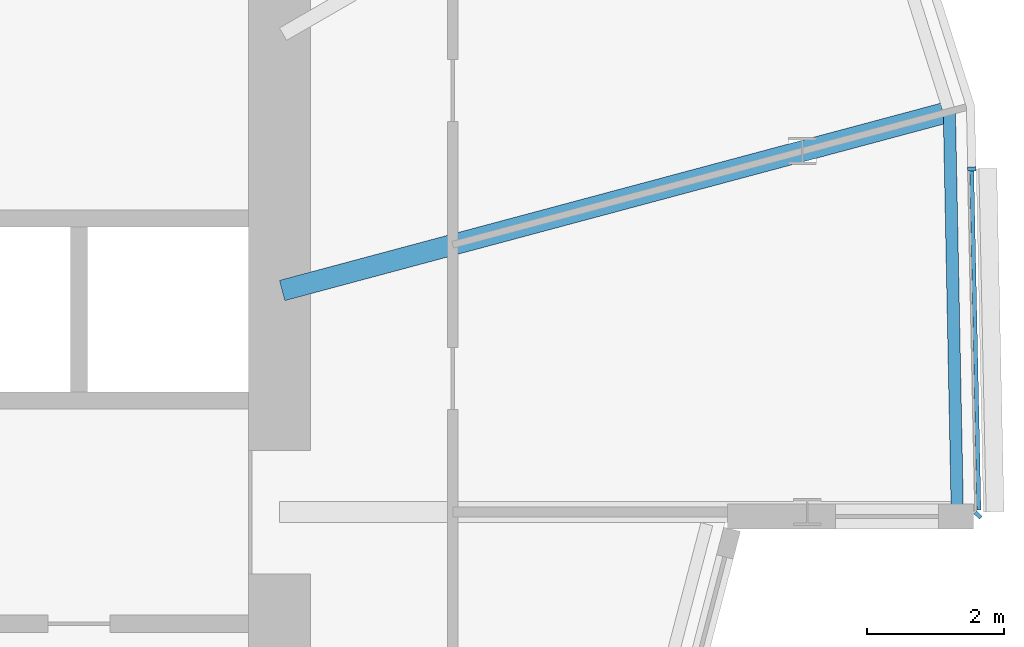
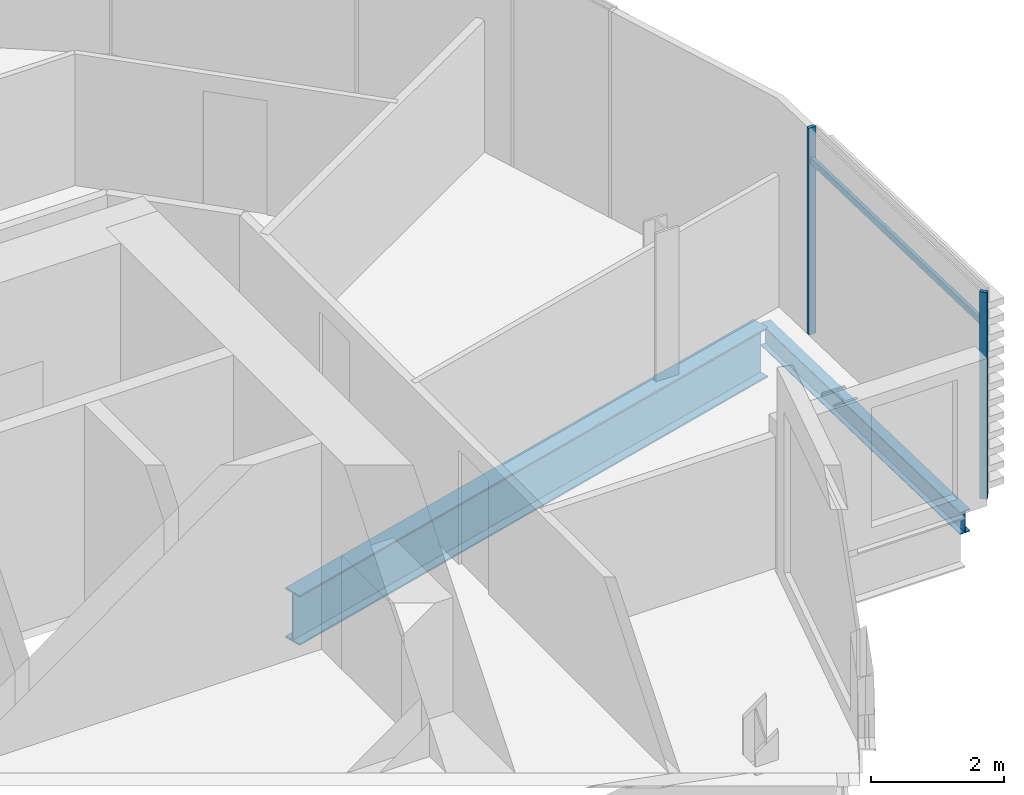
# One storey, part 15 of 38: 3 members, 2 beams, 1 element without a shape of its own.
"""IFC4 building model written with IfcOpenShell, lengths in metres."""

from ifc_helpers import new_model, si_unit, direction, frame, origin, origin_2d, place, context, subcontext, project, spatial, rectangle, i_section, extrude, material, material_profile, profile_set, type_object, element, aggregate, save


model = new_model("IFC4")

# Units and contexts
model_context = context("Model", 3, precision=1e-05, world=origin(), true_north=direction((0.0, 1.0)))
body_context = subcontext(model_context, "Body", "Model", "MODEL_VIEW")
ifc_project = project(units=[si_unit("LENGTHUNIT", "METRE"), si_unit("AREAUNIT", "SQUARE_METRE"), si_unit("VOLUMEUNIT", "CUBIC_METRE"), si_unit("PLANEANGLEUNIT", "RADIAN"), si_unit("MASSUNIT", "GRAM", prefix="KILO")], contexts=[model_context])

# Site, building, storey
site_placement = place(None, origin())
site = spatial("IfcSite", under=ifc_project, at=site_placement, CompositionType="ELEMENT")
building_placement = place(site_placement, origin())
building = spatial("IfcBuilding", under=site, at=building_placement, Name="Rimbun Link Towers", CompositionType="ELEMENT")
storey_placement = place(building_placement, frame((0.0, 0.0, 68.0)))
storey = spatial("IfcBuildingStorey", under=building, at=storey_placement, Name="L16", CompositionType="ELEMENT", Elevation=68.0)

# Curtain wall, members
ifc_material_1 = material(Name="Aluminium 6063-T6 and low-iron glass", Category="aluminium")
curtain_wall_type = type_object("IfcCurtainWallType", Name="CW1 unitised vision wall", PredefinedType="NOTDEFINED", material=ifc_material_1)
curtain_wall_placement = place(storey_placement, origin())
curtain_wall = element("IfcCurtainWall", 1, at=curtain_wall_placement, inside=storey, type_object=curtain_wall_type, Name="CW1 L16 T2", PredefinedType="NOTDEFINED")
ifc_material_2 = material(Name="Aluminium 6063-T6", Category="aluminium")
ifc_material_profile_1 = material_profile(ifc_material_2, rectangle(XDim=0.1201171875, YDim=0.06005859375, at=origin_2d()), Name="MULLION 60X120")
ifc_profile_set_1 = profile_set([ifc_material_profile_1], Name="Aluminium 6063-T6")
member_type_1 = type_object("IfcMemberType", Name="CW1 mullion 60X120", PredefinedType="MULLION", material=ifc_profile_set_1)
member_1_placement = place(storey_placement, frame((53.833740234375, 4.99755859375, 0.0), z_axis=(0.0, 0.0, 1.0), x_axis=(0.999778219026, 0.021059742681, 0.0)))
member_1 = element("IfcMember", 2, at=member_1_placement, type_object=member_type_1, Name="CW1 mullion", PredefinedType="MULLION", context=body_context, shape_type="SweptSolid", body=[
    extrude(rectangle(XDim=0.1201171875, YDim=0.06005859375, at=origin_2d()), origin(), (0.0, 0.0, 1.0), 3.800048828125),
])
member_2_placement = place(storey_placement, frame((53.921875, -0.0419921875, 0.0), z_axis=(0.0, 0.0, 1.0), x_axis=(0.714513730687, -0.699621418097, 0.0)))
member_2 = element("IfcMember", 3, at=member_2_placement, type_object=member_type_1, Name="CW1 mullion", PredefinedType="MULLION", context=body_context, shape_type="SweptSolid", body=[
    extrude(rectangle(XDim=0.1201171875, YDim=0.06005859375, at=origin_2d()), origin(), (0.0, 0.0, 1.0), 3.800048828125),
])
ifc_material_3 = material(Name="Aluminium 6063-T6", Category="aluminium")
ifc_material_profile_2 = material_profile(ifc_material_3, rectangle(XDim=0.06005859375, YDim=0.1201171875, at=origin_2d()), Name="TRANSOM 60X120")
ifc_profile_set_2 = profile_set([ifc_material_profile_2], Name="Aluminium 6063-T6")
member_type_2 = type_object("IfcMemberType", Name="CW1 transom 60X120", PredefinedType="USERDEFINED", material=ifc_profile_set_2)
member_3_placement = place(storey_placement, frame((53.832275390625, 4.967529296875, 3.199951171875), z_axis=(0.02106461633, -0.999778116353, 0.0), x_axis=(0.999778116353, 0.02106461633, 0.0)))
member_3 = element("IfcMember", 4, at=member_3_placement, type_object=member_type_2, Name="CW1 transom", ObjectType="TRANSOM", PredefinedType="USERDEFINED", context=body_context, shape_type="SweptSolid", body=[
    extrude(rectangle(XDim=0.06005859375, YDim=0.1201171875, at=origin_2d()), origin(), (0.0, 0.0, 1.0), 4.937255859375),
])
aggregate(curtain_wall, [member_1, member_2, member_3])

# Beams
ifc_material_4 = material(Name="Steel S355J2", Category="steel")
ifc_material_profile_3 = material_profile(ifc_material_4, i_section(OverallWidth=0.177978515625, OverallDepth=0.406494140625, WebThickness=0.0078125, FlangeThickness=0.0126953125, at=origin_2d()), Name="UB 406x178x60")
ifc_profile_set_3 = profile_set([ifc_material_profile_3], Name="Steel S355J2")
beam_type_1 = type_object("IfcBeamType", Name="UB 406x178x60", PredefinedType="BEAM", material=ifc_profile_set_3)
beam_1_placement = place(storey_placement, frame((53.621826171875, 0.0009765625, -0.36328125), z_axis=(-0.019855848745, 0.999802853202, 0.0), x_axis=(-0.999802853202, -0.019855848745, 0.0)))
element("IfcBeam", 5, at=beam_1_placement, inside=storey, type_object=beam_type_1, Name="Edge beam T2 L16 21", PredefinedType="BEAM", context=body_context, shape_type="SweptSolid", body=[
    extrude(i_section(OverallWidth=0.177978515625, OverallDepth=0.406494140625, WebThickness=0.0078125, FlangeThickness=0.0126953125, at=origin_2d()), origin(), (0.0, 0.0, 1.0), 5.81591796875),
])
ifc_material_5 = material(Name="Steel S355J2", Category="steel")
ifc_material_profile_4 = material_profile(ifc_material_5, i_section(OverallWidth=0.305419921875, OverallDepth=0.91845703125, WebThickness=0.017333984375, FlangeThickness=0.02783203125, at=origin_2d()), Name="UB 914x305x253")
ifc_profile_set_4 = profile_set([ifc_material_profile_4], Name="Steel S355J2")
beam_type_2 = type_object("IfcBeamType", Name="UB 914x305x253", PredefinedType="BEAM", material=ifc_profile_set_4)
beam_2_placement = place(storey_placement, frame((43.79052734375, 3.226318359375, -0.619140625), z_axis=(0.965928154558, 0.258810355728, 0.0), x_axis=(-0.258810355728, 0.965928154558, 0.0)))
element("IfcBeam", 6, at=beam_2_placement, inside=storey, type_object=beam_type_2, Name="Radial beam T2 L16 22", PredefinedType="BEAM", context=body_context, shape_type="SweptSolid", body=[
    extrude(i_section(OverallWidth=0.305419921875, OverallDepth=0.91845703125, WebThickness=0.017333984375, FlangeThickness=0.02783203125, at=origin_2d()), origin(), (0.0, 0.0, 1.0), 9.968017578125),
])

save(model, "model.ifc")
